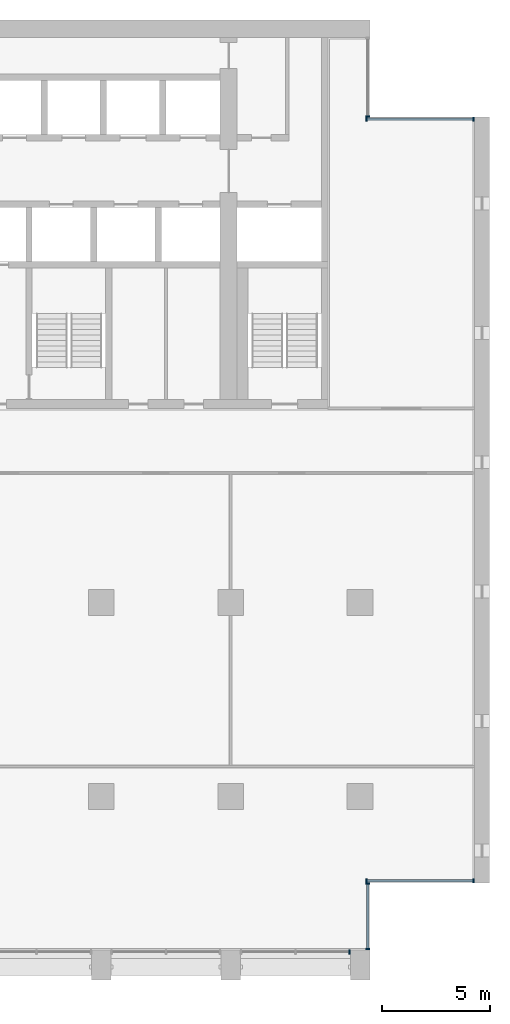
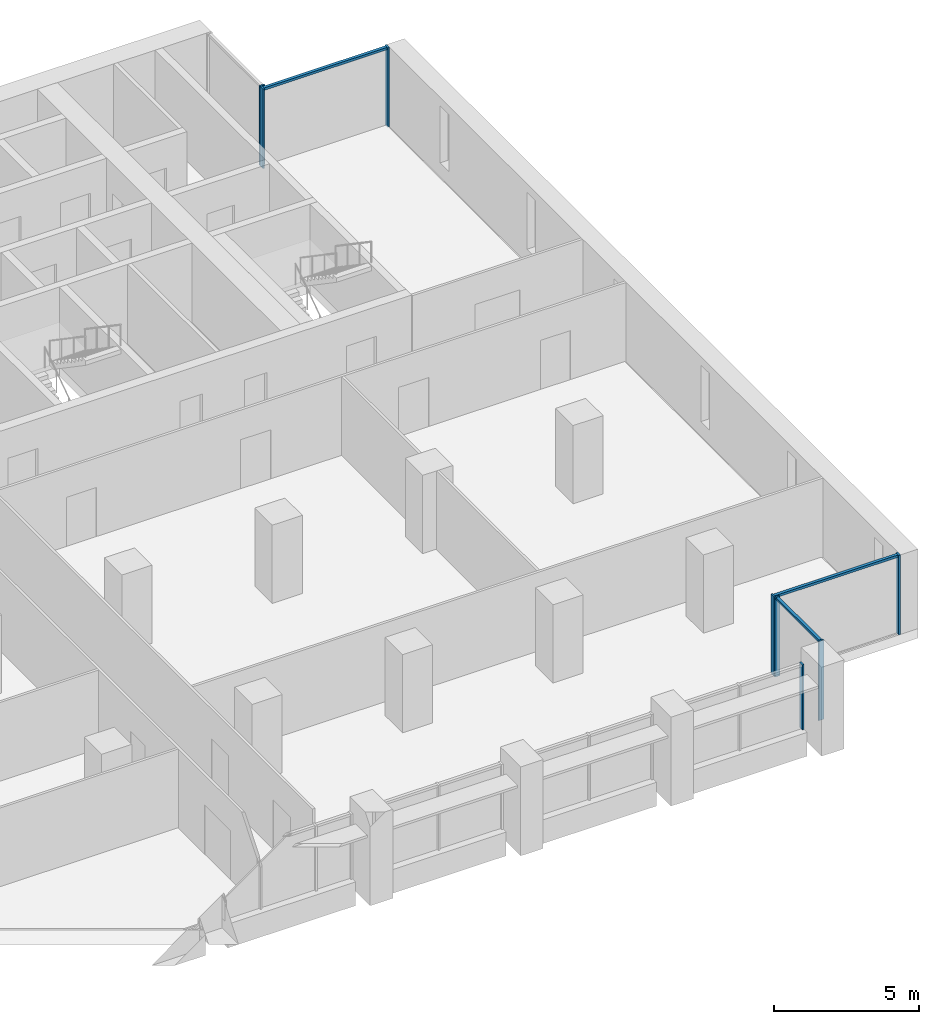
# One storey, part 5 of 15: 11 members, 5 elements without a shape of their own.
"""IFC4 building model written with IfcOpenShell, lengths in metres."""

from ifc_helpers import new_model, si_unit, direction, frame, origin, origin_2d, place, context, subcontext, project, spatial, rectangle, extrude, material, material_profile, profile_set, type_object, element, aggregate, save


model = new_model("IFC4")

# Units and contexts
model_context = context("Model", 3, precision=1e-05, world=origin(), true_north=direction((0.0, 1.0)))
body_context = subcontext(model_context, "Body", "Model", "MODEL_VIEW")
ifc_project = project(units=[si_unit("LENGTHUNIT", "METRE"), si_unit("AREAUNIT", "SQUARE_METRE"), si_unit("VOLUMEUNIT", "CUBIC_METRE"), si_unit("PLANEANGLEUNIT", "RADIAN"), si_unit("MASSUNIT", "GRAM", prefix="KILO")], contexts=[model_context])

# Site, building, storey
site_placement = place(None, origin())
site = spatial("IfcSite", under=ifc_project, at=site_placement, CompositionType="ELEMENT")
building_placement = place(site_placement, origin())
building = spatial("IfcBuilding", under=site, at=building_placement, Name="Calvaro Tower", CompositionType="ELEMENT")
storey_placement = place(building_placement, frame((0.0, 0.0, 147.5)))
storey = spatial("IfcBuildingStorey", under=building, at=storey_placement, Name="L37", CompositionType="ELEMENT", Elevation=147.5)

# Curtain wall, member
ifc_material_1 = material(Name="Anodised aluminium", Category="aluminium")
curtain_wall_type = type_object("IfcCurtainWallType", Name="Office curtain wall, middle zone", PredefinedType="NOTDEFINED", material=ifc_material_1)
curtain_wall_1_placement = place(storey_placement, origin())
curtain_wall_1 = element("IfcCurtainWall", 1, at=curtain_wall_1_placement, inside=storey, type_object=curtain_wall_type, Name="CW2 south curtain wall", PredefinedType="NOTDEFINED")
ifc_material_2 = material(Name="Anodised aluminium", Category="aluminium")
ifc_material_profile_1 = material_profile(ifc_material_2, rectangle(XDim=0.199951171875, YDim=0.070068359375, at=origin_2d()), Name="Mullion S2 70 x 200")
ifc_profile_set_1 = profile_set([ifc_material_profile_1], Name="Anodised aluminium")
member_type_1 = type_object("IfcMemberType", Name="Mullion S2 70 x 200", PredefinedType="MULLION", material=ifc_profile_set_1)
member_1_placement = place(storey_placement, frame((65.514892578125, 2.800048828125, 0.0), z_axis=(0.0, 0.0, 1.0), x_axis=(0.0, 1.0, 0.0)))
member_1 = element("IfcMember", 2, at=member_1_placement, type_object=member_type_1, Name="CW2 mullion 3", PredefinedType="MULLION", context=body_context, shape_type="SweptSolid", body=[
    extrude(rectangle(XDim=0.199951171875, YDim=0.070068359375, at=origin_2d()), origin(), (0.0, 0.0, 1.0), 2.75),
])
aggregate(curtain_wall_1, [member_1])

# Curtain wall, members
curtain_wall_2_placement = place(storey_placement, origin())
curtain_wall_2 = element("IfcCurtainWall", 3, at=curtain_wall_2_placement, inside=storey, type_object=curtain_wall_type, Name="CW2 corner curtain wall", PredefinedType="NOTDEFINED")
member_2_placement = place(storey_placement, frame((66.35009765625, 2.93505859375, 0.0), z_axis=(0.0, 0.0, 1.0), x_axis=(-1.0, 0.0, 0.0)))
member_2 = element("IfcMember", 4, at=member_2_placement, type_object=member_type_1, Name="CW2 mullion 1", PredefinedType="MULLION", context=body_context, shape_type="SweptSolid", body=[
    extrude(rectangle(XDim=0.199951171875, YDim=0.070068359375, at=origin_2d()), origin(), (0.0, 0.0, 1.0), 3.35009765625),
])
member_3_placement = place(storey_placement, frame((66.35009765625, 5.965087890625, 0.0), z_axis=(0.0, 0.0, 1.0), x_axis=(-1.0, 0.0, 0.0)))
member_3 = element("IfcMember", 5, at=member_3_placement, type_object=member_type_1, Name="CW2 mullion 2", PredefinedType="MULLION", context=body_context, shape_type="SweptSolid", body=[
    extrude(rectangle(XDim=0.199951171875, YDim=0.070068359375, at=origin_2d()), origin(), (0.0, 0.0, 1.0), 3.35009765625),
])

curtain_wall_3_placement = place(storey_placement, origin())
curtain_wall_3 = element("IfcCurtainWall", 6, at=curtain_wall_3_placement, inside=storey, type_object=curtain_wall_type, Name="CW2 corner curtain wall", PredefinedType="NOTDEFINED")
member_4_placement = place(storey_placement, frame((66.284912109375, 6.10009765625, 0.0), z_axis=(0.0, 0.0, 1.0), x_axis=(0.0, 1.0, 0.0)))
member_4 = element("IfcMember", 7, at=member_4_placement, type_object=member_type_1, Name="CW2 mullion 1", PredefinedType="MULLION", context=body_context, shape_type="SweptSolid", body=[
    extrude(rectangle(XDim=0.199951171875, YDim=0.070068359375, at=origin_2d()), origin(), (0.0, 0.0, 1.0), 3.35009765625),
])
member_5_placement = place(storey_placement, frame((71.264892578125, 6.10009765625, 0.0), z_axis=(0.0, 0.0, 1.0), x_axis=(0.0, 1.0, 0.0)))
member_5 = element("IfcMember", 8, at=member_5_placement, type_object=member_type_1, Name="CW2 mullion 2", PredefinedType="MULLION", context=body_context, shape_type="SweptSolid", body=[
    extrude(rectangle(XDim=0.199951171875, YDim=0.070068359375, at=origin_2d()), origin(), (0.0, 0.0, 1.0), 3.35009765625),
])

# Curtain wall, member
curtain_wall_4_placement = place(storey_placement, origin())
curtain_wall_4 = element("IfcCurtainWall", 9, at=curtain_wall_4_placement, inside=storey, type_object=curtain_wall_type, Name="CW2 corner curtain wall", PredefinedType="NOTDEFINED")
member_6_placement = place(storey_placement, frame((66.35009765625, 41.534912109375, 0.0), z_axis=(0.0, 0.0, 1.0), x_axis=(-1.0, 0.0, 0.0)))
member_6 = element("IfcMember", 10, at=member_6_placement, type_object=member_type_1, Name="CW2 mullion 1", PredefinedType="MULLION", context=body_context, shape_type="SweptSolid", body=[
    extrude(rectangle(XDim=0.199951171875, YDim=0.070068359375, at=origin_2d()), origin(), (0.0, 0.0, 1.0), 3.35009765625),
])
aggregate(curtain_wall_4, [member_6])

# Curtain wall, members
curtain_wall_5_placement = place(storey_placement, origin())
curtain_wall_5 = element("IfcCurtainWall", 11, at=curtain_wall_5_placement, inside=storey, type_object=curtain_wall_type, Name="CW2 corner curtain wall", PredefinedType="NOTDEFINED")
member_7_placement = place(storey_placement, frame((66.284912109375, 41.39990234375, 0.0), z_axis=(0.0, 0.0, 1.0), x_axis=(0.0, 1.0, 0.0)))
member_7 = element("IfcMember", 12, at=member_7_placement, type_object=member_type_1, Name="CW2 mullion 1", PredefinedType="MULLION", context=body_context, shape_type="SweptSolid", body=[
    extrude(rectangle(XDim=0.199951171875, YDim=0.070068359375, at=origin_2d()), origin(), (0.0, 0.0, 1.0), 3.35009765625),
])
member_8_placement = place(storey_placement, frame((71.264892578125, 41.39990234375, 0.0), z_axis=(0.0, 0.0, 1.0), x_axis=(0.0, 1.0, 0.0)))
member_8 = element("IfcMember", 13, at=member_8_placement, type_object=member_type_1, Name="CW2 mullion 2", PredefinedType="MULLION", context=body_context, shape_type="SweptSolid", body=[
    extrude(rectangle(XDim=0.199951171875, YDim=0.070068359375, at=origin_2d()), origin(), (0.0, 0.0, 1.0), 3.35009765625),
])

# Member
ifc_material_3 = material(Name="Anodised aluminium", Category="aluminium")
ifc_material_profile_2 = material_profile(ifc_material_3, rectangle(XDim=0.1201171875, YDim=0.10009765625, at=origin_2d()), Name="Transom S2 100 x 120")
ifc_profile_set_2 = profile_set([ifc_material_profile_2], Name="Anodised aluminium")
member_type_2 = type_object("IfcMemberType", Name="Transom S2 100 x 120", PredefinedType="USERDEFINED", material=ifc_profile_set_2)
member_9_placement = place(storey_placement, frame((66.35009765625, 2.969970703125, 3.300048828125), z_axis=(0.0, 1.0, 0.0), x_axis=(-1.0, 0.0, 0.0)))
member_9 = element("IfcMember", 14, at=member_9_placement, type_object=member_type_2, Name="CW2 transom 1.1", ObjectType="TRANSOM", PredefinedType="USERDEFINED", context=body_context, shape_type="SweptSolid", body=[
    extrude(rectangle(XDim=0.1201171875, YDim=0.10009765625, at=origin_2d()), origin(), (0.0, 0.0, 1.0), 2.9599609375),
])

aggregate(curtain_wall_2, [member_2, member_3, member_9])

member_10_placement = place(storey_placement, frame((66.320068359375, 6.10009765625, 3.300048828125), z_axis=(1.0, 0.0, 0.0), x_axis=(0.0, 1.0, 0.0)))
member_10 = element("IfcMember", 15, at=member_10_placement, type_object=member_type_2, Name="CW2 transom 1.1", ObjectType="TRANSOM", PredefinedType="USERDEFINED", context=body_context, shape_type="SweptSolid", body=[
    extrude(rectangle(XDim=0.1201171875, YDim=0.10009765625, at=origin_2d()), origin(), (0.0, 0.0, 1.0), 4.909912109375),
])

aggregate(curtain_wall_3, [member_4, member_5, member_10])

member_11_placement = place(storey_placement, frame((66.320068359375, 41.39990234375, 3.300048828125), z_axis=(1.0, 0.0, 0.0), x_axis=(0.0, 1.0, 0.0)))
member_11 = element("IfcMember", 16, at=member_11_placement, type_object=member_type_2, Name="CW2 transom 1.1", ObjectType="TRANSOM", PredefinedType="USERDEFINED", context=body_context, shape_type="SweptSolid", body=[
    extrude(rectangle(XDim=0.1201171875, YDim=0.10009765625, at=origin_2d()), origin(), (0.0, 0.0, 1.0), 4.909912109375),
])

aggregate(curtain_wall_5, [member_7, member_8, member_11])

save(model, "model.ifc")
